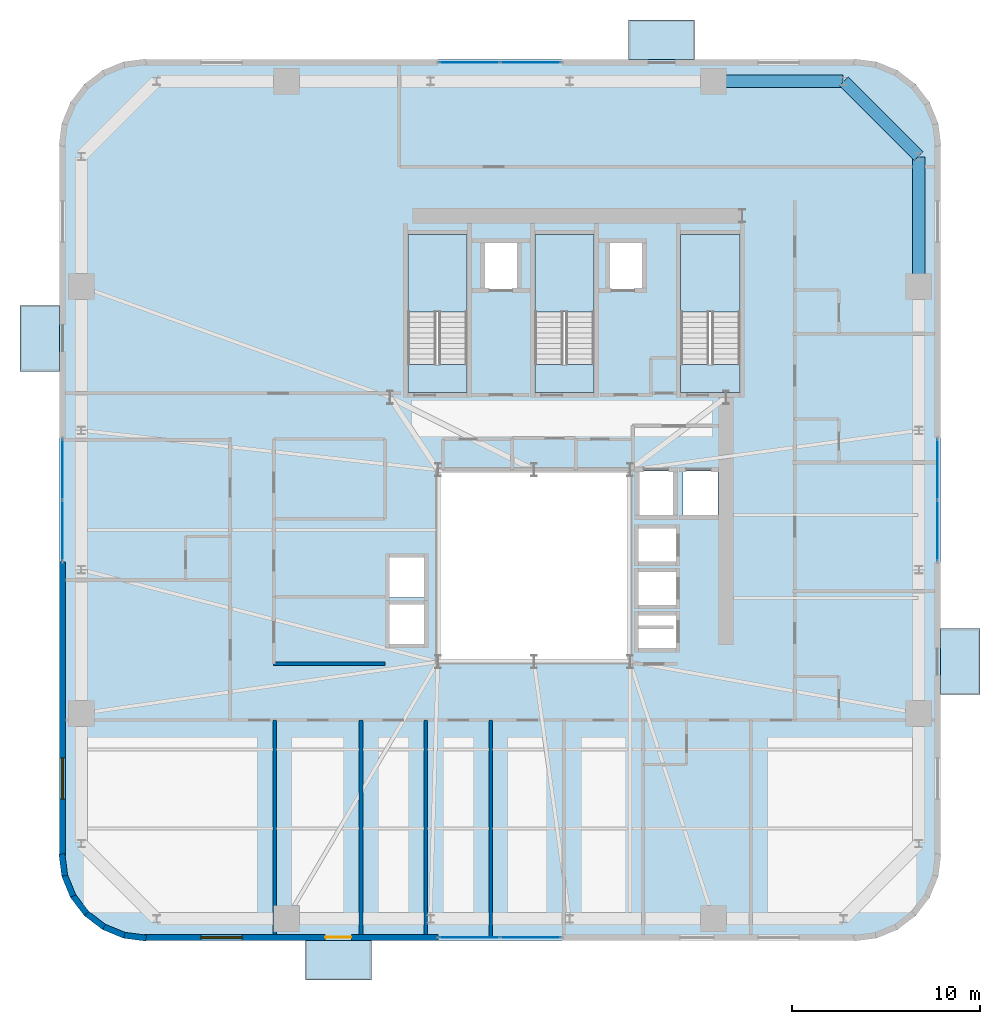
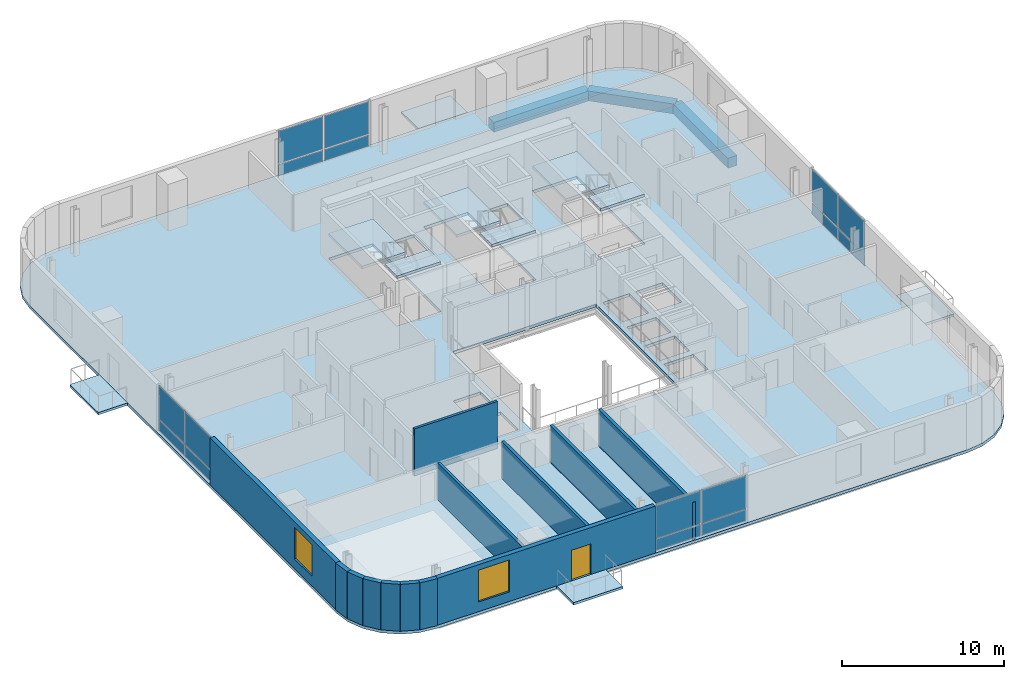
# One storey, part 7 of 16: 16 plates, 13 walls, 11 slabs, 3 beams, 2 windows, 1 door, 3 openings, 7 elements without a shape of their own.
"""IFC4 building model written with IfcOpenShell, lengths in metres."""

from ifc_helpers import new_model, si_unit, direction, frame, frame_2d, origin, origin_2d, place, context, subcontext, project, spatial, polyline, rectangle, outline, extrude, source, transform, mapped, material, layer, layer_set, material_profile, profile_set, type_object, element, fill, aggregate, save


model = new_model("IFC4")

# Units and contexts
model_context = context("Model", 3, precision=1e-05, world=origin(), true_north=direction((0.0, 1.0)))
body_context = subcontext(model_context, "Body", "Model", "MODEL_VIEW")
ifc_project = project(units=[si_unit("LENGTHUNIT", "METRE"), si_unit("AREAUNIT", "SQUARE_METRE"), si_unit("VOLUMEUNIT", "CUBIC_METRE"), si_unit("PLANEANGLEUNIT", "RADIAN"), si_unit("MASSUNIT", "GRAM", prefix="KILO")], contexts=[model_context])

# Site, building, storey
site_placement = place(None, origin())
site = spatial("IfcSite", under=ifc_project, at=site_placement, CompositionType="ELEMENT")
building_placement = place(site_placement, origin())
building = spatial("IfcBuilding", under=site, at=building_placement, Name="Vardaveli Station Tower", CompositionType="ELEMENT")
storey_placement = place(building_placement, frame((0.0, 0.0, 184.800048828125)))
storey = spatial("IfcBuildingStorey", under=building, at=storey_placement, Name="L47", CompositionType="ELEMENT", Elevation=184.800048828125)

# Beams
ifc_material_1 = material(Name="Precast concrete C45/55", Category="concrete")
ifc_material_profile = material_profile(ifc_material_1, rectangle(XDim=0.64990234375, YDim=0.75, at=origin_2d()), Name="LPB 650x750")
ifc_profile_set = profile_set([ifc_material_profile], Name="Precast concrete C45/55")
beam_type = type_object("IfcBeamType", Name="BM-LPB-750", PredefinedType="BEAM", material=ifc_profile_set)
shared_shape_1 = source(origin(), body_context, "Body", "SweptSolid", [
    extrude(rectangle(XDim=0.64990234375, YDim=0.75, at=origin_2d()), origin(), (0.0, 0.0, 1.0), 6.869873046875),
])
for number, where, z_axis, x_axis, name in (
    (1, (56.75, 36.56005859375, -0.594970703125), (0.0, 1.0, 0.0), (-1.0, 0.0, 0.0), "RBM-L47-10"),
    (2, (52.72998046875, 47.449951171875, -0.594970703125), (-1.0, 0.0, 0.0), (0.0, -1.0, 0.0), "RBM-L47-12"),
):
    element("IfcBeam", number, at=place(storey_placement, frame(where, z_axis=z_axis, x_axis=x_axis)), inside=storey, type_object=beam_type, Name=name, PredefinedType="BEAM", context=body_context, shape_type="MappedRepresentation", body=[
        mapped(shared_shape_1, transform((0.0, 0.0, 0.0), scale=1.0)),
    ])
shared_shape_2 = source(origin(), body_context, "Body", "SweptSolid", [
    extrude(rectangle(XDim=0.64990234375, YDim=0.75, at=origin_2d()), origin(), (0.0, 0.0, 1.0), 5.61669921875),
])
beam_placement = place(storey_placement, frame((56.73583984375, 43.464111328125, -0.594970703125), z_axis=(-0.707106781187, 0.707106781187, 0.0), x_axis=(-0.707106781187, -0.707106781187, 0.0)))
element("IfcBeam", 3, at=beam_placement, inside=storey, type_object=beam_type, Name="RBM-L47-11", PredefinedType="BEAM", context=body_context, shape_type="MappedRepresentation", body=[
    mapped(shared_shape_2, transform((0.0, 0.0, 0.0), scale=1.0)),
])

# Stair, slabs
ifc_material_2 = material(Name="Concrete C40/50", Category="concrete")
stair_type = type_object("IfcStairType", Name="STR-CORE-1500", PredefinedType="HALF_TURN_STAIR", material=ifc_material_2)
stair_1_placement = place(storey_placement, origin())
stair_1 = element("IfcStair", 4, at=stair_1_placement, inside=storey, type_object=stair_type, Name="L47 ST-1", PredefinedType="HALF_TURN_STAIR")
ifc_layer_1 = layer(ifc_material_2, 0.199951171875, Name="Concrete C40/50")
ifc_layer_set_1 = layer_set([ifc_layer_1], Name="Concrete C40/50")
slab_type_1 = type_object("IfcSlabType", Name="SLB-LAND-200", PredefinedType="LANDING", material=ifc_layer_set_1)
slab_1_placement = place(storey_placement, frame((0.0, 0.0, 1.675048828125)))
slab_1 = element("IfcSlab", 5, at=slab_1_placement, type_object=slab_type_1, Name="ST-1 landing 1", PredefinedType="LANDING", context=body_context, shape_type="SweptSolid", body=[
    extrude(outline(polyline([(32.75, 35.199951171875), (32.75, 39.300048828125), (29.60009765625, 39.300048828125), (29.60009765625, 35.199951171875), (32.75, 35.199951171875)])), origin(), (0.0, 0.0, 1.0), 0.199951171875),
])
slab_2_placement = place(storey_placement, frame((0.0, 0.0, 3.550048828125)))
slab_2 = element("IfcSlab", 6, at=slab_2_placement, type_object=slab_type_1, Name="ST-1 landing 2", PredefinedType="LANDING", context=body_context, shape_type="SweptSolid", body=[
    extrude(outline(polyline([(32.75, 30.89990234375), (32.75, 32.39990234375), (29.60009765625, 32.39990234375), (29.60009765625, 30.89990234375), (32.75, 30.89990234375)])), origin(), (0.0, 0.0, 1.0), 0.199951171875),
])
aggregate(stair_1, [slab_1, slab_2])

stair_2_placement = place(storey_placement, origin())
stair_2 = element("IfcStair", 7, at=stair_2_placement, inside=storey, type_object=stair_type, Name="L47 ST-2", PredefinedType="HALF_TURN_STAIR")
slab_3_placement = place(storey_placement, frame((0.0, 0.0, 1.675048828125)))
slab_3 = element("IfcSlab", 8, at=slab_3_placement, type_object=slab_type_1, Name="ST-2 landing 1", PredefinedType="LANDING", context=body_context, shape_type="SweptSolid", body=[
    extrude(outline(polyline([(39.5, 35.199951171875), (39.5, 39.300048828125), (36.35009765625, 39.300048828125), (36.35009765625, 35.199951171875), (39.5, 35.199951171875)])), origin(), (0.0, 0.0, 1.0), 0.199951171875),
])
slab_4_placement = place(storey_placement, frame((0.0, 0.0, 3.550048828125)))
slab_4 = element("IfcSlab", 9, at=slab_4_placement, type_object=slab_type_1, Name="ST-2 landing 2", PredefinedType="LANDING", context=body_context, shape_type="SweptSolid", body=[
    extrude(outline(polyline([(39.5, 30.89990234375), (39.5, 32.39990234375), (36.35009765625, 32.39990234375), (36.35009765625, 30.89990234375), (39.5, 30.89990234375)])), origin(), (0.0, 0.0, 1.0), 0.199951171875),
])
aggregate(stair_2, [slab_3, slab_4])

stair_3_placement = place(storey_placement, origin())
stair_3 = element("IfcStair", 10, at=stair_3_placement, inside=storey, type_object=stair_type, Name="L47 ST-3", PredefinedType="HALF_TURN_STAIR")
slab_5_placement = place(storey_placement, frame((0.0, 0.0, 1.675048828125)))
slab_5 = element("IfcSlab", 11, at=slab_5_placement, type_object=slab_type_1, Name="ST-3 landing 1", PredefinedType="LANDING", context=body_context, shape_type="SweptSolid", body=[
    extrude(outline(polyline([(47.25, 35.199951171875), (47.25, 39.300048828125), (44.10009765625, 39.300048828125), (44.10009765625, 35.199951171875), (47.25, 35.199951171875)])), origin(), (0.0, 0.0, 1.0), 0.199951171875),
])
slab_6_placement = place(storey_placement, frame((0.0, 0.0, 3.550048828125)))
slab_6 = element("IfcSlab", 12, at=slab_6_placement, type_object=slab_type_1, Name="ST-3 landing 2", PredefinedType="LANDING", context=body_context, shape_type="SweptSolid", body=[
    extrude(outline(polyline([(47.25, 30.89990234375), (47.25, 32.39990234375), (44.10009765625, 32.39990234375), (44.10009765625, 30.89990234375), (47.25, 30.89990234375)])), origin(), (0.0, 0.0, 1.0), 0.199951171875),
])
aggregate(stair_3, [slab_5, slab_6])

# Slabs
ifc_layer_2 = layer(ifc_material_1, 0.179931640625, Name="Precast concrete C45/55")
ifc_layer_set_2 = layer_set([ifc_layer_2], Name="Precast concrete C45/55")
slab_type_2 = type_object("IfcSlabType", Name="SLB-LOGGIA-180", PredefinedType="FLOOR", material=ifc_layer_set_2)
slab_7_placement = place(storey_placement, frame((0.0, 0.0, -0.179931640625)))
element("IfcSlab", 13, at=slab_7_placement, inside=storey, type_object=slab_type_2, Name="LOG-L47-S", PredefinedType="FLOOR", context=body_context, shape_type="SweptSolid", body=[
    extrude(outline(polyline([(24.160400390625, -0.300048828125), (27.660400390625, -0.300048828125), (27.660400390625, 1.800048828125), (24.160400390625, 1.800048828125), (24.160400390625, -0.300048828125)])), origin(), (0.0, 0.0, 1.0), 0.179931640625),
])
slab_8_placement = place(storey_placement, frame((0.0, 0.0, -0.179931640625)))
element("IfcSlab", 14, at=slab_8_placement, inside=storey, type_object=slab_type_2, Name="LOG-L47-N", PredefinedType="FLOOR", context=body_context, shape_type="SweptSolid", body=[
    extrude(outline(polyline([(41.339599609375, 48.60009765625), (44.839599609375, 48.60009765625), (44.839599609375, 50.699951171875), (41.339599609375, 50.699951171875), (41.339599609375, 48.60009765625)])), origin(), (0.0, 0.0, 1.0), 0.179931640625),
])
slab_9_placement = place(storey_placement, frame((0.0, 0.0, -0.179931640625)))
element("IfcSlab", 15, at=slab_9_placement, inside=storey, type_object=slab_type_2, Name="LOG-L47-W", PredefinedType="FLOOR", context=body_context, shape_type="SweptSolid", body=[
    extrude(outline(polyline([(9.0, 32.03955078125), (11.10009765625, 32.03955078125), (11.10009765625, 35.53955078125), (9.0, 35.53955078125), (9.0, 32.03955078125)])), origin(), (0.0, 0.0, 1.0), 0.179931640625),
])
slab_10_placement = place(storey_placement, frame((0.0, 0.0, -0.179931640625)))
element("IfcSlab", 16, at=slab_10_placement, inside=storey, type_object=slab_type_2, Name="LOG-L47-E", PredefinedType="FLOOR", context=body_context, shape_type="SweptSolid", body=[
    extrude(outline(polyline([(57.89990234375, 14.8603515625), (60.0, 14.8603515625), (60.0, 18.3603515625), (57.89990234375, 18.3603515625), (57.89990234375, 14.8603515625)])), origin(), (0.0, 0.0, 1.0), 0.179931640625),
])
ifc_layer_3 = layer(ifc_material_2, 0.219970703125, Name="Concrete C40/50")
ifc_layer_set_3 = layer_set([ifc_layer_3], Name="Concrete C40/50")
slab_type_3 = type_object("IfcSlabType", Name="SLB-TOW-220", PredefinedType="FLOOR", material=ifc_layer_set_3)
slab_11_placement = place(storey_placement, frame((0.0, 0.0, -0.219970703125)))
element("IfcSlab", 17, at=slab_11_placement, inside=storey, type_object=slab_type_3, Name="SLB-L47-MAIN", PredefinedType="FLOOR", context=body_context, shape_type="SweptSolid", body=[
    extrude(outline(polyline([(11.10009765625, 6.300048828125), (11.25341796875, 5.13525390625), (11.702880859375, 4.050048828125), (12.41796875, 3.117919921875), (13.35009765625, 2.40283203125), (14.435302734375, 1.953369140625), (15.60009765625, 1.800048828125), (53.39990234375, 1.800048828125), (54.564697265625, 1.953369140625), (55.64990234375, 2.40283203125), (56.58203125, 3.117919921875), (57.297119140625, 4.050048828125), (57.74658203125, 5.13525390625), (57.89990234375, 6.300048828125), (57.89990234375, 44.10009765625), (57.74658203125, 45.2646484375), (57.297119140625, 46.35009765625), (56.58203125, 47.281982421875), (55.64990234375, 47.9970703125), (54.564697265625, 48.44677734375), (53.39990234375, 48.60009765625), (15.60009765625, 48.60009765625), (14.435302734375, 48.44677734375), (13.35009765625, 47.9970703125), (12.41796875, 47.281982421875), (11.702880859375, 46.35009765625), (11.25341796875, 45.2646484375), (11.10009765625, 44.10009765625), (11.10009765625, 6.300048828125)]), holes=[polyline([(31.199951171875, 16.60009765625), (41.39990234375, 16.60009765625), (41.39990234375, 26.800048828125), (31.199951171875, 26.800048828125), (31.199951171875, 16.60009765625)]), polyline([(32.75, 30.89990234375), (32.75, 39.300048828125), (29.60009765625, 39.300048828125), (29.60009765625, 30.89990234375), (32.75, 30.89990234375)]), polyline([(39.5, 30.89990234375), (39.5, 39.300048828125), (36.35009765625, 39.300048828125), (36.35009765625, 30.89990234375), (39.5, 30.89990234375)]), polyline([(47.25, 30.89990234375), (47.25, 39.300048828125), (44.10009765625, 39.300048828125), (44.10009765625, 30.89990234375), (47.25, 30.89990234375)]), polyline([(33.659912109375, 36.409912109375), (35.43994140625, 36.409912109375), (35.43994140625, 38.889892578125), (33.659912109375, 38.889892578125), (33.659912109375, 36.409912109375)]), polyline([(40.31005859375, 36.409912109375), (42.090087890625, 36.409912109375), (42.090087890625, 38.889892578125), (40.31005859375, 38.889892578125), (40.31005859375, 36.409912109375)]), polyline([(41.81005859375, 21.885009765625), (43.889892578125, 21.885009765625), (43.889892578125, 23.715087890625), (41.81005859375, 23.715087890625), (41.81005859375, 21.885009765625)]), polyline([(41.81005859375, 19.5849609375), (43.889892578125, 19.5849609375), (43.889892578125, 21.4150390625), (41.81005859375, 21.4150390625), (41.81005859375, 19.5849609375)]), polyline([(41.81005859375, 17.284912109375), (43.889892578125, 17.284912109375), (43.889892578125, 19.114990234375), (41.81005859375, 19.114990234375), (41.81005859375, 17.284912109375)]), polyline([(28.5849609375, 17.510009765625), (30.514892578125, 17.510009765625), (30.514892578125, 19.68994140625), (28.5849609375, 19.68994140625), (28.5849609375, 17.510009765625)]), polyline([(28.5849609375, 20.010009765625), (30.514892578125, 20.010009765625), (30.514892578125, 22.18994140625), (28.5849609375, 22.18994140625), (28.5849609375, 20.010009765625)]), polyline([(41.860107421875, 24.360107421875), (43.739990234375, 24.360107421875), (43.739990234375, 26.739990234375), (41.860107421875, 26.739990234375), (41.860107421875, 24.360107421875)]), polyline([(44.2099609375, 24.360107421875), (46.090087890625, 24.360107421875), (46.090087890625, 26.739990234375), (44.2099609375, 26.739990234375), (44.2099609375, 24.360107421875)])]), origin(), (0.0, 0.0, 1.0), 0.219970703125),
])

# Curtain wall, plates
ifc_material_3 = material(Name="Travertine stone and solar-control glass", Category="masonry")
curtain_wall_type = type_object("IfcCurtainWallType", Name="CW-SYS-5", PredefinedType="NOTDEFINED", material=ifc_material_3)
curtain_wall_1_placement = place(storey_placement, origin())
curtain_wall_1 = element("IfcCurtainWall", 18, at=curtain_wall_1_placement, inside=storey, type_object=curtain_wall_type, Name="CW-L47-S", PredefinedType="NOTDEFINED")
ifc_material_4 = material(Name="Double-glazed low-E solar-control glass", Category="glass")
ifc_layer_4 = layer(ifc_material_4, 0.031982421875, Name="Double-glazed low-E solar-control glass")
ifc_layer_set_4 = layer_set([ifc_layer_4], Name="Double-glazed low-E solar-control glass")
plate_type = type_object("IfcPlateType", Name="CW-SYS-5-PAN", PredefinedType="CURTAIN_PANEL", material=ifc_layer_set_4)
shared_shape_3 = source(origin(), body_context, "Body", "SweptSolid", [
    extrude(rectangle(XDim=3.179931640625, YDim=0.031982421875, at=origin_2d()), origin(), (0.0, 0.0, 1.0), 0.830078125),
])
plate_1_placement = place(storey_placement, frame((32.8701171875, 1.9599609375, 0.079833984375), z_axis=(0.0, 0.0, 1.0), x_axis=(1.0, 0.0, 0.0)))
plate_1 = element("IfcPlate", 19, at=plate_1_placement, type_object=plate_type, Name="CW-5 panel 1.1", PredefinedType="CURTAIN_PANEL", context=body_context, shape_type="MappedRepresentation", body=[
    mapped(shared_shape_3, transform((0.0, 0.0, 0.0), scale=1.0)),
])
plate_2_placement = place(storey_placement, frame((36.1298828125, 1.9599609375, 0.079833984375), z_axis=(0.0, 0.0, 1.0), x_axis=(1.0, 0.0, 0.0)))
plate_2 = element("IfcPlate", 20, at=plate_2_placement, type_object=plate_type, Name="CW-5 panel 2.1", PredefinedType="CURTAIN_PANEL", context=body_context, shape_type="MappedRepresentation", body=[
    mapped(shared_shape_3, transform((0.0, 0.0, 0.0), scale=1.0)),
])

curtain_wall_2_placement = place(storey_placement, origin())
curtain_wall_2 = element("IfcCurtainWall", 21, at=curtain_wall_2_placement, inside=storey, type_object=curtain_wall_type, Name="CW-L47-N", PredefinedType="NOTDEFINED")
plate_3_placement = place(storey_placement, frame((36.1298828125, 48.43994140625, 0.079833984375), z_axis=(0.0, 0.0, 1.0), x_axis=(-1.0, 0.0, 0.0)))
plate_3 = element("IfcPlate", 22, at=plate_3_placement, type_object=plate_type, Name="CW-5 panel 1.1", PredefinedType="CURTAIN_PANEL", context=body_context, shape_type="MappedRepresentation", body=[
    mapped(shared_shape_3, transform((0.0, 0.0, 0.0), scale=1.0)),
])
plate_4_placement = place(storey_placement, frame((32.8701171875, 48.43994140625, 0.079833984375), z_axis=(0.0, 0.0, 1.0), x_axis=(-1.0, 0.0, 0.0)))
plate_4 = element("IfcPlate", 23, at=plate_4_placement, type_object=plate_type, Name="CW-5 panel 2.1", PredefinedType="CURTAIN_PANEL", context=body_context, shape_type="MappedRepresentation", body=[
    mapped(shared_shape_3, transform((0.0, 0.0, 0.0), scale=1.0)),
])

curtain_wall_3_placement = place(storey_placement, origin())
curtain_wall_3 = element("IfcCurtainWall", 24, at=curtain_wall_3_placement, inside=storey, type_object=curtain_wall_type, Name="CW-L47-W", PredefinedType="NOTDEFINED")
plate_5_placement = place(storey_placement, frame((11.260009765625, 26.830078125, 0.079833984375), z_axis=(0.0, 0.0, 1.0), x_axis=(0.0, -1.0, 0.0)))
plate_5 = element("IfcPlate", 25, at=plate_5_placement, type_object=plate_type, Name="CW-5 panel 1.1", PredefinedType="CURTAIN_PANEL", context=body_context, shape_type="MappedRepresentation", body=[
    mapped(shared_shape_3, transform((0.0, 0.0, 0.0), scale=1.0)),
])
plate_6_placement = place(storey_placement, frame((11.260009765625, 23.570068359375, 0.079833984375), z_axis=(0.0, 0.0, 1.0), x_axis=(0.0, -1.0, 0.0)))
plate_6 = element("IfcPlate", 26, at=plate_6_placement, type_object=plate_type, Name="CW-5 panel 2.1", PredefinedType="CURTAIN_PANEL", context=body_context, shape_type="MappedRepresentation", body=[
    mapped(shared_shape_3, transform((0.0, 0.0, 0.0), scale=1.0)),
])

curtain_wall_4_placement = place(storey_placement, origin())
curtain_wall_4 = element("IfcCurtainWall", 27, at=curtain_wall_4_placement, inside=storey, type_object=curtain_wall_type, Name="CW-L47-E", PredefinedType="NOTDEFINED")
plate_7_placement = place(storey_placement, frame((57.739990234375, 23.570068359375, 0.079833984375), z_axis=(0.0, 0.0, 1.0), x_axis=(0.0, 1.0, 0.0)))
plate_7 = element("IfcPlate", 28, at=plate_7_placement, type_object=plate_type, Name="CW-5 panel 1.1", PredefinedType="CURTAIN_PANEL", context=body_context, shape_type="MappedRepresentation", body=[
    mapped(shared_shape_3, transform((0.0, 0.0, 0.0), scale=1.0)),
])
plate_8_placement = place(storey_placement, frame((57.739990234375, 26.830078125, 0.079833984375), z_axis=(0.0, 0.0, 1.0), x_axis=(0.0, 1.0, 0.0)))
plate_8 = element("IfcPlate", 29, at=plate_8_placement, type_object=plate_type, Name="CW-5 panel 2.1", PredefinedType="CURTAIN_PANEL", context=body_context, shape_type="MappedRepresentation", body=[
    mapped(shared_shape_3, transform((0.0, 0.0, 0.0), scale=1.0)),
])

# Plate
shared_shape_4 = source(origin(), body_context, "Body", "SweptSolid", [
    extrude(rectangle(XDim=3.179931640625, YDim=0.031982421875, at=origin_2d()), origin(), (0.0, 0.0, 1.0), 2.4599609375),
])
plate_9_placement = place(storey_placement, frame((32.8701171875, 1.9599609375, 0.989990234375), z_axis=(0.0, 0.0, 1.0), x_axis=(1.0, 0.0, 0.0)))
plate_9 = element("IfcPlate", 30, at=plate_9_placement, type_object=plate_type, Name="CW-5 panel 1.2", PredefinedType="CURTAIN_PANEL", context=body_context, shape_type="MappedRepresentation", body=[
    mapped(shared_shape_4, transform((0.0, 0.0, 0.0), scale=1.0)),
])

plate_10_placement = place(storey_placement, frame((36.1298828125, 1.9599609375, 0.989990234375), z_axis=(0.0, 0.0, 1.0), x_axis=(1.0, 0.0, 0.0)))
plate_10 = element("IfcPlate", 31, at=plate_10_placement, type_object=plate_type, Name="CW-5 panel 2.2", PredefinedType="CURTAIN_PANEL", context=body_context, shape_type="MappedRepresentation", body=[
    mapped(shared_shape_4, transform((0.0, 0.0, 0.0), scale=1.0)),
])

aggregate(curtain_wall_1, [plate_1, plate_9, plate_2, plate_10])

plate_11_placement = place(storey_placement, frame((36.1298828125, 48.43994140625, 0.989990234375), z_axis=(0.0, 0.0, 1.0), x_axis=(-1.0, 0.0, 0.0)))
plate_11 = element("IfcPlate", 32, at=plate_11_placement, type_object=plate_type, Name="CW-5 panel 1.2", PredefinedType="CURTAIN_PANEL", context=body_context, shape_type="MappedRepresentation", body=[
    mapped(shared_shape_4, transform((0.0, 0.0, 0.0), scale=1.0)),
])

plate_12_placement = place(storey_placement, frame((32.8701171875, 48.43994140625, 0.989990234375), z_axis=(0.0, 0.0, 1.0), x_axis=(-1.0, 0.0, 0.0)))
plate_12 = element("IfcPlate", 33, at=plate_12_placement, type_object=plate_type, Name="CW-5 panel 2.2", PredefinedType="CURTAIN_PANEL", context=body_context, shape_type="MappedRepresentation", body=[
    mapped(shared_shape_4, transform((0.0, 0.0, 0.0), scale=1.0)),
])

aggregate(curtain_wall_2, [plate_3, plate_11, plate_4, plate_12])

plate_13_placement = place(storey_placement, frame((11.260009765625, 26.830078125, 0.989990234375), z_axis=(0.0, 0.0, 1.0), x_axis=(0.0, -1.0, 0.0)))
plate_13 = element("IfcPlate", 34, at=plate_13_placement, type_object=plate_type, Name="CW-5 panel 1.2", PredefinedType="CURTAIN_PANEL", context=body_context, shape_type="MappedRepresentation", body=[
    mapped(shared_shape_4, transform((0.0, 0.0, 0.0), scale=1.0)),
])

plate_14_placement = place(storey_placement, frame((11.260009765625, 23.570068359375, 0.989990234375), z_axis=(0.0, 0.0, 1.0), x_axis=(0.0, -1.0, 0.0)))
plate_14 = element("IfcPlate", 35, at=plate_14_placement, type_object=plate_type, Name="CW-5 panel 2.2", PredefinedType="CURTAIN_PANEL", context=body_context, shape_type="MappedRepresentation", body=[
    mapped(shared_shape_4, transform((0.0, 0.0, 0.0), scale=1.0)),
])

aggregate(curtain_wall_3, [plate_5, plate_13, plate_6, plate_14])

plate_15_placement = place(storey_placement, frame((57.739990234375, 23.570068359375, 0.989990234375), z_axis=(0.0, 0.0, 1.0), x_axis=(0.0, 1.0, 0.0)))
plate_15 = element("IfcPlate", 36, at=plate_15_placement, type_object=plate_type, Name="CW-5 panel 1.2", PredefinedType="CURTAIN_PANEL", context=body_context, shape_type="MappedRepresentation", body=[
    mapped(shared_shape_4, transform((0.0, 0.0, 0.0), scale=1.0)),
])

plate_16_placement = place(storey_placement, frame((57.739990234375, 26.830078125, 0.989990234375), z_axis=(0.0, 0.0, 1.0), x_axis=(0.0, 1.0, 0.0)))
plate_16 = element("IfcPlate", 37, at=plate_16_placement, type_object=plate_type, Name="CW-5 panel 2.2", PredefinedType="CURTAIN_PANEL", context=body_context, shape_type="MappedRepresentation", body=[
    mapped(shared_shape_4, transform((0.0, 0.0, 0.0), scale=1.0)),
])

aggregate(curtain_wall_4, [plate_7, plate_15, plate_8, plate_16])

# Wall, openings, door, window
ifc_layer_5 = layer(ifc_material_1, 0.320068359375, Name="Precast concrete C45/55")
ifc_layer_set_5 = layer_set([ifc_layer_5], Name="Precast concrete C45/55")
wall_type_1 = type_object("IfcWallType", Name="WAL-EXT-STONE-320", PredefinedType="SOLIDWALL", material=ifc_layer_set_5)
shared_shape_5 = source(origin(), body_context, "Body", "SweptSolid", [
    extrude(rectangle(XDim=15.599853515625, YDim=0.320068359375, at=frame_2d((7.7998046875, 0.0))), origin(), (0.0, 0.0, 1.0), 3.530029296875),
])
wall_1_placement = place(storey_placement, frame((15.60009765625, 1.9599609375, 0.0), z_axis=(0.0, 0.0, 1.0), x_axis=(1.0, 0.0, 0.0)))
wall_1 = element("IfcWall", 38, at=wall_1_placement, inside=storey, type_object=wall_type_1, Name="EW-L47-S1", PredefinedType="SOLIDWALL", context=body_context, shape_type="MappedRepresentation", body=[
    mapped(shared_shape_5, transform((0.0, 0.0, 0.0), scale=1.0)),
])
shared_shape_6 = source(origin(), body_context, "Body", "SweptSolid", [
    extrude(rectangle(XDim=1.39990234375, YDim=2.300048828125, at=frame_2d((0.699951171875, 1.14990234375))), frame((0.0, 0.169921875, 0.0), z_axis=(0.0, -1.0, 0.0), x_axis=(1.0, 0.0, 0.0)), (0.0, 0.0, 1.0), 0.340087890625),
])
opening_1_placement = place(wall_1_placement, frame((9.6103515625, 0.0, 0.0)))
opening_1 = element("IfcOpeningElement", 39, at=opening_1_placement, cuts=wall_1, Name="Opening D-09", PredefinedType="OPENING", context=body_context, shape_type="MappedRepresentation", body=[
    mapped(shared_shape_6, transform((0.0, 0.0, 0.0), scale=1.0)),
])
shared_shape_7 = source(origin(), body_context, "Body", "SweptSolid", [
    extrude(rectangle(XDim=2.199951171875, YDim=2.39990234375, at=frame_2d((1.10009765625, 1.199951171875))), frame((0.0, 0.169921875, 0.0), z_axis=(0.0, -1.0, 0.0), x_axis=(1.0, 0.0, 0.0)), (0.0, 0.0, 1.0), 0.340087890625),
])
opening_2_placement = place(wall_1_placement, frame((3.0048828125, 0.0, 0.719970703125)))
opening_2 = element("IfcOpeningElement", 40, at=opening_2_placement, cuts=wall_1, Name="Opening W-03", PredefinedType="OPENING", context=body_context, shape_type="MappedRepresentation", body=[
    mapped(shared_shape_7, transform((0.0, 0.0, 0.0), scale=1.0)),
])
ifc_material_5 = material(Name="Thermally broken aluminium glass", Category="aluminium")
door_type = type_object("IfcDoorType", Name="DR-LOG-1400x2300", OperationType="DOUBLE_DOOR_SLIDING", PredefinedType="DOOR", material=ifc_material_5)
shared_shape_8 = source(origin(), body_context, "Body", "SweptSolid", [
    extrude(rectangle(XDim=1.39990234375, YDim=2.300048828125, at=frame_2d((0.699951171875, 1.14990234375))), frame((0.0, 0.02490234375, 0.0), z_axis=(0.0, -1.0, 0.0), x_axis=(1.0, 0.0, 0.0)), (0.0, 0.0, 1.0), 0.050048828125),
])
door_placement = place(opening_1_placement, frame((1.39990234375, 0.0, 0.0), z_axis=(0.0, 0.0, 1.0), x_axis=(-1.0, 0.0, 0.0)))
door = element("IfcDoor", 41, at=door_placement, inside=storey, type_object=door_type, Name="DLG-L47-S", OperationType="DOUBLE_DOOR_SLIDING", OverallHeight=2.300048828125, OverallWidth=1.39990234375, PredefinedType="DOOR", context=body_context, shape_type="MappedRepresentation", body=[
    mapped(shared_shape_8, transform((0.0, 0.0, 0.0), scale=1.0)),
])
fill(opening_1, door)
ifc_material_6 = material(Name="Low-E solar-control glass", Category="glass")
window_type = type_object("IfcWindowType", Name="WIN-LOG-2200x2400", PartitioningType="SINGLE_PANEL", PredefinedType="WINDOW", material=ifc_material_6)
shared_shape_9 = source(origin(), body_context, "Body", "SweptSolid", [
    extrude(rectangle(XDim=2.199951171875, YDim=2.39990234375, at=frame_2d((1.10009765625, 1.199951171875))), frame((0.0, 0.030029296875, 0.0), z_axis=(0.0, -1.0, 0.0), x_axis=(1.0, 0.0, 0.0)), (0.0, 0.0, 1.0), 0.06005859375),
])
window_1_placement = place(opening_2_placement, origin())
window_1 = element("IfcWindow", 42, at=window_1_placement, inside=storey, type_object=window_type, Name="WN-L47-S1", OverallHeight=2.39990234375, OverallWidth=2.199951171875, PartitioningType="SINGLE_PANEL", PredefinedType="WINDOW", context=body_context, shape_type="MappedRepresentation", body=[
    mapped(shared_shape_9, transform((0.0, 0.0, 0.0), scale=1.0)),
])
fill(opening_2, window_1)

# Wall, opening, window
wall_2_placement = place(storey_placement, frame((11.260009765625, 21.89990234375, 0.0), z_axis=(0.0, 0.0, 1.0), x_axis=(0.0, -1.0, 0.0)))
wall_2 = element("IfcWall", 43, at=wall_2_placement, inside=storey, type_object=wall_type_1, Name="EW-L47-W2", PredefinedType="SOLIDWALL", context=body_context, shape_type="MappedRepresentation", body=[
    mapped(shared_shape_5, transform((0.0, 0.0, 0.0), scale=1.0)),
])
opening_3_placement = place(wall_2_placement, frame((10.39501953125, 0.0, 0.719970703125)))
opening_3 = element("IfcOpeningElement", 44, at=opening_3_placement, cuts=wall_2, Name="Opening W-03", PredefinedType="OPENING", context=body_context, shape_type="MappedRepresentation", body=[
    mapped(shared_shape_7, transform((0.0, 0.0, 0.0), scale=1.0)),
])
window_2_placement = place(opening_3_placement, origin())
window_2 = element("IfcWindow", 45, at=window_2_placement, inside=storey, type_object=window_type, Name="WN-L47-W2", OverallHeight=2.39990234375, OverallWidth=2.199951171875, PartitioningType="SINGLE_PANEL", PredefinedType="WINDOW", context=body_context, shape_type="MappedRepresentation", body=[
    mapped(shared_shape_9, transform((0.0, 0.0, 0.0), scale=1.0)),
])
fill(opening_3, window_2)

# Walls
shared_shape_10 = source(origin(), body_context, "Body", "SweptSolid", [
    extrude(rectangle(XDim=1.170654296875, YDim=0.320068359375, at=frame_2d((0.58544921875, 0.0))), origin(), (0.0, 0.0, 1.0), 3.530029296875),
])
wall_3_placement = place(storey_placement, frame((11.224365234375, 6.400634765625, 0.0), z_axis=(0.0, 0.0, 1.0), x_axis=(0.128269133229, -0.991739395941, 0.0)))
element("IfcWall", 46, at=wall_3_placement, inside=storey, type_object=wall_type_1, Name="EW-L47-CR1-1", PredefinedType="SOLIDWALL", context=body_context, shape_type="MappedRepresentation", body=[
    mapped(shared_shape_10, transform((0.0, 0.0, 0.0), scale=1.0)),
])
shared_shape_11 = source(origin(), body_context, "Body", "SweptSolid", [
    extrude(rectangle(XDim=1.1689453125, YDim=0.320068359375, at=frame_2d((0.58447265625, 0.0))), origin(), (0.0, 0.0, 1.0), 3.530029296875),
])
for number, where, z_axis, x_axis, name in (
    (47, (11.37451171875, 5.23974609375, 0.0), (0.0, 0.0, 1.0), (0.381127904695, -0.924522320046, 0.0), "EW-L47-CR1-2"),
    (48, (11.820068359375, 4.158935546875, 0.0), (0.0, 0.0, 1.0), (0.608387696831, -0.793639975269, 0.0), "EW-L47-CR1-3"),
):
    element("IfcWall", number, at=place(storey_placement, frame(where, z_axis=z_axis, x_axis=x_axis)), inside=storey, type_object=wall_type_1, Name=name, PredefinedType="SOLIDWALL", context=body_context, shape_type="MappedRepresentation", body=[
        mapped(shared_shape_11, transform((0.0, 0.0, 0.0), scale=1.0)),
    ])
shared_shape_12 = source(origin(), body_context, "Body", "SweptSolid", [
    extrude(rectangle(XDim=1.168701171875, YDim=0.320068359375, at=frame_2d((0.58447265625, 0.0))), origin(), (0.0, 0.0, 1.0), 3.530029296875),
])
wall_4_placement = place(storey_placement, frame((12.53125, 3.231201171875, 0.0), z_axis=(0.0, 0.0, 1.0), x_axis=(0.793663520347, -0.608356981114, 0.0)))
element("IfcWall", 49, at=wall_4_placement, inside=storey, type_object=wall_type_1, Name="EW-L47-CR1-4", PredefinedType="SOLIDWALL", context=body_context, shape_type="MappedRepresentation", body=[
    mapped(shared_shape_12, transform((0.0, 0.0, 0.0), scale=1.0)),
])
shared_shape_13 = source(origin(), body_context, "Body", "SweptSolid", [
    extrude(rectangle(XDim=1.16943359375, YDim=0.320068359375, at=frame_2d((0.584716796875, 0.0))), origin(), (0.0, 0.0, 1.0), 3.530029296875),
])
wall_5_placement = place(storey_placement, frame((13.458740234375, 2.520263671875, 0.0), z_axis=(0.0, 0.0, 1.0), x_axis=(0.924479075121, -0.381232789334, 0.0)))
element("IfcWall", 50, at=wall_5_placement, inside=storey, type_object=wall_type_1, Name="EW-L47-CR1-5", PredefinedType="SOLIDWALL", context=body_context, shape_type="MappedRepresentation", body=[
    mapped(shared_shape_13, transform((0.0, 0.0, 0.0), scale=1.0)),
])
shared_shape_14 = source(origin(), body_context, "Body", "SweptSolid", [
    extrude(rectangle(XDim=1.170166015625, YDim=0.320068359375, at=frame_2d((0.5849609375, 0.0))), origin(), (0.0, 0.0, 1.0), 3.530029296875),
])
wall_6_placement = place(storey_placement, frame((14.539794921875, 2.074462890625, 0.0), z_axis=(0.0, 0.0, 1.0), x_axis=(0.991762485493, -0.128090485085, 0.0)))
element("IfcWall", 51, at=wall_6_placement, inside=storey, type_object=wall_type_1, Name="EW-L47-CR1-6", PredefinedType="SOLIDWALL", context=body_context, shape_type="MappedRepresentation", body=[
    mapped(shared_shape_14, transform((0.0, 0.0, 0.0), scale=1.0)),
])
ifc_material_7 = material(Name="Acoustic twin-stud gypsum partition")
ifc_layer_6 = layer(ifc_material_7, 0.199951171875, Name="Acoustic twin-stud gypsum partition")
ifc_layer_set_6 = layer_set([ifc_layer_6], Name="Acoustic twin-stud gypsum partition")
wall_type_2 = type_object("IfcWallType", Name="WAL-PARTY-200", PredefinedType="PARTITIONING", material=ifc_layer_set_6)
shared_shape_15 = source(origin(), body_context, "Body", "SweptSolid", [
    extrude(rectangle(XDim=11.387939453125, YDim=0.199951171875, at=frame_2d((5.69384765625, 0.0))), origin(), (0.0, 0.0, 1.0), 2.77197265625),
])
for number, where, z_axis, x_axis, name in (
    (52, (22.530029296875, 2.1220703125, 0.0), (0.0, 0.0, 1.0), (0.0, 1.0, 0.0), "W-L47-PS1"),
    (53, (27.110107421875, 2.1220703125, 0.0), (0.0, 0.0, 1.0), (0.0, 1.0, 0.0), "W-L47-PS2"),
    (54, (30.56005859375, 2.1220703125, 0.0), (0.0, 0.0, 1.0), (0.0, 1.0, 0.0), "W-L47-PS3"),
):
    element("IfcWall", number, at=place(storey_placement, frame(where, z_axis=z_axis, x_axis=x_axis)), inside=storey, type_object=wall_type_2, Name=name, PredefinedType="PARTITIONING", context=body_context, shape_type="MappedRepresentation", body=[
        mapped(shared_shape_15, transform((0.0, 0.0, 0.0), scale=1.0)),
    ])
shared_shape_16 = source(origin(), body_context, "Body", "SweptSolid", [
    extrude(rectangle(XDim=11.580078125, YDim=0.199951171875, at=frame_2d((5.7900390625, 0.0))), origin(), (0.0, 0.0, 1.0), 2.77197265625),
])
wall_7_placement = place(storey_placement, frame((34.010009765625, 1.929931640625, 0.0), z_axis=(0.0, 0.0, 1.0), x_axis=(0.0, 1.0, 0.0)))
element("IfcWall", 55, at=wall_7_placement, inside=storey, type_object=wall_type_2, Name="W-L47-PS4", PredefinedType="PARTITIONING", context=body_context, shape_type="MappedRepresentation", body=[
    mapped(shared_shape_16, transform((0.0, 0.0, 0.0), scale=1.0)),
])
ifc_material_8 = material(Name="Fire-rated gypsum stud partition")
ifc_layer_7 = layer(ifc_material_8, 0.179931640625, Name="Fire-rated gypsum stud partition")
ifc_layer_set_7 = layer_set([ifc_layer_7], Name="Fire-rated gypsum stud partition")
wall_type_3 = type_object("IfcWallType", Name="WAL-CORR-180", PredefinedType="PARTITIONING", material=ifc_layer_set_7)
shared_shape_17 = source(origin(), body_context, "Body", "SweptSolid", [
    extrude(rectangle(XDim=5.919921875, YDim=0.179931640625, at=frame_2d((2.9599609375, 0.0))), origin(), (0.0, 0.0, 1.0), 3.530029296875),
])
wall_8_placement = place(storey_placement, frame((22.47998046875, 16.5, 0.0), z_axis=(0.0, 0.0, 1.0), x_axis=(1.0, 0.0, 0.0)))
element("IfcWall", 56, at=wall_8_placement, inside=storey, type_object=wall_type_3, Name="W-L47-ATWA-S", PredefinedType="PARTITIONING", context=body_context, shape_type="MappedRepresentation", body=[
    mapped(shared_shape_17, transform((0.0, 0.0, 0.0), scale=1.0)),
])

save(model, "model.ifc")
